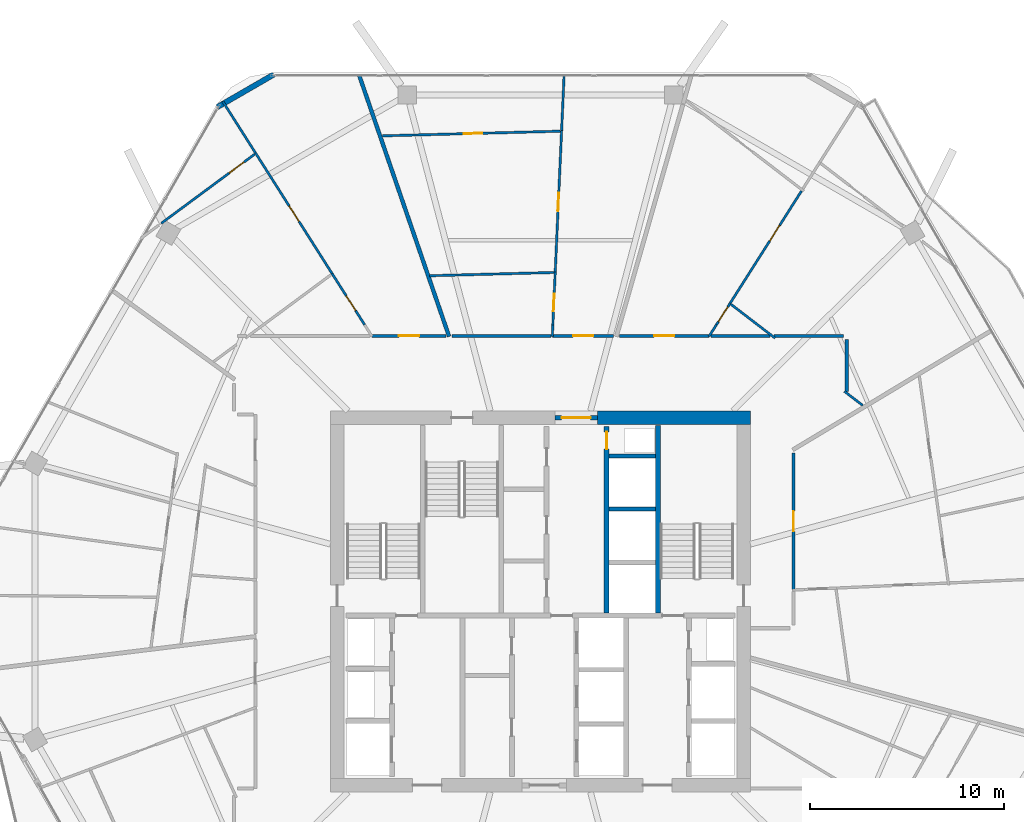
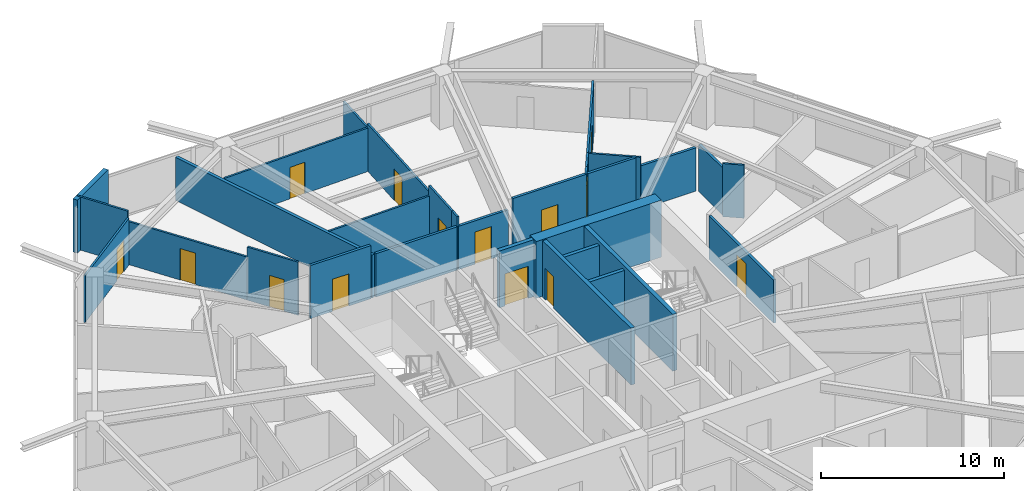
# One storey, part 22 of 26: 31 walls, 14 doors, 14 openings.
"""IFC4 building model written with IfcOpenShell, lengths in metres."""

from ifc_helpers import new_model, si_unit, direction, frame, frame_2d, origin, place, context, subcontext, project, spatial, rectangle, extrude, material, layer, layer_set, type_object, element, fill, save


model = new_model("IFC4")

# Units and contexts
model_context = context("Model", 3, precision=1e-05, world=origin(), true_north=direction((0.0, 1.0)))
body_context = subcontext(model_context, "Body", "Model", "MODEL_VIEW")
ifc_project = project(units=[si_unit("LENGTHUNIT", "METRE"), si_unit("AREAUNIT", "SQUARE_METRE"), si_unit("VOLUMEUNIT", "CUBIC_METRE"), si_unit("PLANEANGLEUNIT", "RADIAN"), si_unit("MASSUNIT", "GRAM", prefix="KILO")], contexts=[model_context])

# Site, building, storey
site_placement = place(None, origin())
site = spatial("IfcSite", under=ifc_project, at=site_placement, CompositionType="ELEMENT")
building_placement = place(site_placement, origin())
building = spatial("IfcBuilding", under=site, at=building_placement, Name="Zuhravey Tower", CompositionType="ELEMENT")
storey_placement = place(building_placement, frame((0.0, 0.0, 203.60009765625)))
storey = spatial("IfcBuildingStorey", under=building, at=storey_placement, Name="L51", CompositionType="ELEMENT", Elevation=203.60009765625)

# Wall
ifc_material_1 = material(Name="Concrete C60/75", Category="concrete")
ifc_layer_1 = layer(ifc_material_1, 0.699951171875)
ifc_layer_set_1 = layer_set([ifc_layer_1], Name="Concrete C60/75")
wall_type_1 = type_object("IfcWallType", Name="Core Shear Wall 700", PredefinedType="SHEAR", material=ifc_layer_set_1)
wall_1_placement = place(storey_placement, frame((46.85009765625, 41.5, 0.0), z_axis=(0.0, 0.0, 1.0), x_axis=(-1.0, 0.0, 0.0)))
element("IfcWall", 1, at=wall_1_placement, inside=storey, type_object=wall_type_1, Name="L51 North-East Core Shear Wall CW70", PredefinedType="SHEAR", context=body_context, shape_type="SweptSolid", body=[
    extrude(rectangle(XDim=7.900146484375, YDim=0.699951171875, at=frame_2d((3.9501953125, 0.0))), origin(), (0.0, 0.0, 1.0), 3.7998046875),
])

# Wall, opening, door
ifc_material_2 = material(Name="Gypsum fire-rated stud partition")
ifc_layer_2 = layer(ifc_material_2, 0.159912109375)
ifc_layer_set_2 = layer_set([ifc_layer_2], Name="Gypsum fire-rated stud partition")
wall_type_2 = type_object("IfcWallType", Name="Corridor Fire Partition 160", PredefinedType="PARTITIONING", material=ifc_layer_set_2)
wall_2_placement = place(storey_placement, frame((44.709716796875, 45.72998046875, 0.0), z_axis=(0.0, 0.0, 1.0), x_axis=(-1.0, 0.0, 0.0)))
wall_2 = element("IfcWall", 2, at=wall_2_placement, inside=storey, type_object=wall_type_2, Name="L51 IW16 Partition 024", PredefinedType="PARTITIONING", context=body_context, shape_type="SweptSolid", body=[
    extrude(rectangle(XDim=4.621826171875, YDim=0.159912109375, at=frame_2d((2.31103515625, 0.0))), origin(), (0.0, 0.0, 1.0), 3.5498046875),
])
opening_1_placement = place(wall_2_placement, frame((1.785888671875, 0.0, 0.0)))
opening_1 = element("IfcOpeningElement", 3, at=opening_1_placement, cuts=wall_2, Name="Opening APD1", PredefinedType="OPENING", context=body_context, shape_type="SweptSolid", body=[
    extrude(rectangle(XDim=1.050048828125, YDim=2.14990234375, at=frame_2d((0.52490234375, 1.074951171875))), frame((0.0, 0.092041015625, 0.0), z_axis=(0.0, -1.0, 0.0), x_axis=(1.0, 0.0, 0.0)), (0.0, 0.0, 1.0), 0.183837890625),
])
ifc_material_3 = material(Name="Solid-core oak fire-rated leaf")
door_type_1 = type_object("IfcDoorType", Name="Apartment Entrance Fire Door 1050x2150", OperationType="NOTDEFINED", PredefinedType="DOOR", material=ifc_material_3)
door_1_placement = place(opening_1_placement, frame((1.050048828125, 0.0, 0.0), z_axis=(0.0, 0.0, 1.0), x_axis=(-1.0, 0.0, 0.0)))
door_1 = element("IfcDoor", 4, at=door_1_placement, inside=storey, type_object=door_type_1, Name="L51 Door 024.1", OperationType="SINGLE_SWING_LEFT", OverallHeight=2.14990234375, OverallWidth=1.050048828125, PredefinedType="DOOR", context=body_context, shape_type="SweptSolid", body=[
    extrude(rectangle(XDim=1.050048828125, YDim=2.14990234375, at=frame_2d((0.52490234375, 1.074951171875))), frame((0.0, 0.02490234375, 0.0), z_axis=(0.0, -1.0, 0.0), x_axis=(1.0, 0.0, 0.0)), (0.0, 0.0, 1.0), 0.050048828125),
])
fill(opening_1, door_1)

wall_3_placement = place(storey_placement, frame((39.786865234375, 45.72998046875, 0.0), z_axis=(0.0, 0.0, 1.0), x_axis=(-1.0, 0.0, 0.0)))
wall_3 = element("IfcWall", 5, at=wall_3_placement, inside=storey, type_object=wall_type_2, Name="L51 IW16 Partition 028", PredefinedType="PARTITIONING", context=body_context, shape_type="SweptSolid", body=[
    extrude(rectangle(XDim=3.148193359375, YDim=0.159912109375, at=frame_2d((1.57421875, 0.0))), origin(), (0.0, 0.0, 1.0), 2.89990234375),
])
opening_2_placement = place(wall_3_placement, frame((1.049072265625, 0.0, 0.0)))
opening_2 = element("IfcOpeningElement", 6, at=opening_2_placement, cuts=wall_3, Name="Opening APD1", PredefinedType="OPENING", context=body_context, shape_type="SweptSolid", body=[
    extrude(rectangle(XDim=1.050048828125, YDim=2.14990234375, at=frame_2d((0.52490234375, 1.074951171875))), frame((0.0, 0.092041015625, 0.0), z_axis=(0.0, -1.0, 0.0), x_axis=(1.0, 0.0, 0.0)), (0.0, 0.0, 1.0), 0.183837890625),
])
door_2_placement = place(opening_2_placement, frame((1.050048828125, 0.0, 0.0), z_axis=(0.0, 0.0, 1.0), x_axis=(-1.0, 0.0, 0.0)))
door_2 = element("IfcDoor", 7, at=door_2_placement, inside=storey, type_object=door_type_1, Name="L51 Door 028.1", OperationType="SINGLE_SWING_LEFT", OverallHeight=2.14990234375, OverallWidth=1.050048828125, PredefinedType="DOOR", context=body_context, shape_type="SweptSolid", body=[
    extrude(rectangle(XDim=1.050048828125, YDim=2.14990234375, at=frame_2d((0.52490234375, 1.074951171875))), frame((0.0, 0.02490234375, 0.0), z_axis=(0.0, -1.0, 0.0), x_axis=(1.0, 0.0, 0.0)), (0.0, 0.0, 1.0), 0.050048828125),
])
fill(opening_2, door_2)

wall_4_placement = place(storey_placement, frame((31.11669921875, 45.72998046875, 0.0), z_axis=(0.0, 0.0, 1.0), x_axis=(-1.0, 0.0, 0.0)))
wall_4 = element("IfcWall", 8, at=wall_4_placement, inside=storey, type_object=wall_type_2, Name="L51 IW16 Partition 032", PredefinedType="PARTITIONING", context=body_context, shape_type="SweptSolid", body=[
    extrude(rectangle(XDim=3.81298828125, YDim=0.159912109375, at=frame_2d((1.906494140625, 0.0))), origin(), (0.0, 0.0, 1.0), 3.5498046875),
])
opening_3_placement = place(wall_4_placement, frame((1.381591796875, 0.0, 0.0)))
opening_3 = element("IfcOpeningElement", 9, at=opening_3_placement, cuts=wall_4, Name="Opening APD1", PredefinedType="OPENING", context=body_context, shape_type="SweptSolid", body=[
    extrude(rectangle(XDim=1.050048828125, YDim=2.14990234375, at=frame_2d((0.52490234375, 1.074951171875))), frame((0.0, 0.092041015625, 0.0), z_axis=(0.0, -1.0, 0.0), x_axis=(1.0, 0.0, 0.0)), (0.0, 0.0, 1.0), 0.183837890625),
])
door_3_placement = place(opening_3_placement, frame((1.050048828125, 0.0, 0.0), z_axis=(0.0, 0.0, 1.0), x_axis=(-1.0, 0.0, 0.0)))
door_3 = element("IfcDoor", 10, at=door_3_placement, inside=storey, type_object=door_type_1, Name="L51 Door 032.1", OperationType="SINGLE_SWING_LEFT", OverallHeight=2.14990234375, OverallWidth=1.050048828125, PredefinedType="DOOR", context=body_context, shape_type="SweptSolid", body=[
    extrude(rectangle(XDim=1.050048828125, YDim=2.14990234375, at=frame_2d((0.52490234375, 1.074951171875))), frame((0.0, 0.02490234375, 0.0), z_axis=(0.0, -1.0, 0.0), x_axis=(1.0, 0.0, 0.0)), (0.0, 0.0, 1.0), 0.050048828125),
])
fill(opening_3, door_3)

wall_5_placement = place(storey_placement, frame((49.080078125, 32.614013671875, 0.0), z_axis=(0.0, 0.0, 1.0), x_axis=(0.0, 1.0, 0.0)))
wall_5 = element("IfcWall", 11, at=wall_5_placement, inside=storey, type_object=wall_type_2, Name="L51 IW16 Partition 056", PredefinedType="PARTITIONING", context=body_context, shape_type="SweptSolid", body=[
    extrude(rectangle(XDim=7.0673828125, YDim=0.159912109375, at=frame_2d((3.53369140625, 0.0))), origin(), (0.0, 0.0, 1.0), 2.89990234375),
])
opening_4_placement = place(wall_5_placement, frame((3.0087890625, 0.0, 0.0)))
opening_4 = element("IfcOpeningElement", 12, at=opening_4_placement, cuts=wall_5, Name="Opening APD1", PredefinedType="OPENING", context=body_context, shape_type="SweptSolid", body=[
    extrude(rectangle(XDim=1.050048828125, YDim=2.14990234375, at=frame_2d((0.52490234375, 1.074951171875))), frame((0.0, 0.092041015625, 0.0), z_axis=(0.0, -1.0, 0.0), x_axis=(1.0, 0.0, 0.0)), (0.0, 0.0, 1.0), 0.183837890625),
])
door_4_placement = place(opening_4_placement, frame((1.050048828125, 0.0, 0.0), z_axis=(0.0, 0.0, 1.0), x_axis=(-1.0, 0.0, 0.0)))
door_4 = element("IfcDoor", 13, at=door_4_placement, inside=storey, type_object=door_type_1, Name="L51 Door 056.1", OperationType="SINGLE_SWING_RIGHT", OverallHeight=2.14990234375, OverallWidth=1.050048828125, PredefinedType="DOOR", context=body_context, shape_type="SweptSolid", body=[
    extrude(rectangle(XDim=1.050048828125, YDim=2.14990234375, at=frame_2d((0.52490234375, 1.074951171875))), frame((0.0, 0.02490234375, 0.0), z_axis=(0.0, -1.0, 0.0), x_axis=(1.0, 0.0, 0.0)), (0.0, 0.0, 1.0), 0.050048828125),
])
fill(opening_4, door_4)

# Walls
wall_6_placement = place(storey_placement, frame((47.85791015625, 45.72998046875, 0.0), z_axis=(0.0, 0.0, 1.0), x_axis=(-1.0, 0.0, 0.0)))
element("IfcWall", 14, at=wall_6_placement, inside=storey, type_object=wall_type_2, Name="L51 IW16 Partition 119", PredefinedType="PARTITIONING", context=body_context, shape_type="SweptSolid", body=[
    extrude(rectangle(XDim=3.043701171875, YDim=0.159912109375, at=frame_2d((1.52197265625, 0.0))), origin(), (0.0, 0.0, 1.0), 3.5498046875),
])
wall_7_placement = place(storey_placement, frame((51.64990234375, 45.72998046875, 0.0), z_axis=(0.0, 0.0, 1.0), x_axis=(-1.0, 0.0, 0.0)))
element("IfcWall", 15, at=wall_7_placement, inside=storey, type_object=wall_type_2, Name="L51 IW16 Partition 120", PredefinedType="PARTITIONING", context=body_context, shape_type="SweptSolid", body=[
    extrude(rectangle(XDim=3.568603515625, YDim=0.159912109375, at=frame_2d((1.7841796875, 0.0))), origin(), (0.0, 0.0, 1.0), 2.89990234375),
])
wall_8_placement = place(storey_placement, frame((51.830078125, 42.853515625, 0.0), z_axis=(0.0, 0.0, 1.0), x_axis=(0.0, 1.0, 0.0)))
element("IfcWall", 16, at=wall_8_placement, inside=storey, type_object=wall_type_2, Name="L51 IW16 Partition 121", PredefinedType="PARTITIONING", context=body_context, shape_type="SweptSolid", body=[
    extrude(rectangle(XDim=2.696533203125, YDim=0.159912109375, at=frame_2d((1.34814453125, 0.0))), origin(), (0.0, 0.0, 1.0), 3.14990234375),
])
wall_9_placement = place(storey_placement, frame((36.550537109375, 45.72998046875, 0.0), z_axis=(0.0, 0.0, 1.0), x_axis=(-1.0, 0.0, 0.0)))
element("IfcWall", 17, at=wall_9_placement, inside=storey, type_object=wall_type_2, Name="L51 IW16 Partition 122", PredefinedType="PARTITIONING", context=body_context, shape_type="SweptSolid", body=[
    extrude(rectangle(XDim=5.12353515625, YDim=0.159912109375, at=frame_2d((2.561767578125, 0.0))), origin(), (0.0, 0.0, 1.0), 2.89990234375),
])
ifc_material_4 = material(Name="Precast concrete C40/50", Category="concrete")
ifc_layer_3 = layer(ifc_material_4, 0.280029296875)
ifc_layer_set_3 = layer_set([ifc_layer_3], Name="Precast concrete C40/50")
wall_type_3 = type_object("IfcWallType", Name="Crown Architectural Wall 280", PredefinedType="SOLIDWALL", material=ifc_layer_set_3)
wall_10_placement = place(storey_placement, frame((19.306884765625, 57.548095703125, 0.0), z_axis=(0.0, 0.0, 1.0), x_axis=(0.866020068361, 0.500009241111, 0.0)))
element("IfcWall", 18, at=wall_10_placement, inside=storey, type_object=wall_type_3, Name="L51 Rounded Corner Closure Wall EW28-08", PredefinedType="SOLIDWALL", context=body_context, shape_type="SweptSolid", body=[
    extrude(rectangle(XDim=3.365234375, YDim=0.280029296875, at=frame_2d((1.6826171875, 0.0))), origin(), (0.0, 0.0, 1.0), 3.5498046875),
])

# Wall, opening, door
ifc_material_5 = material(Name="Concrete C50/60", Category="concrete")
ifc_layer_4 = layer(ifc_material_5, 0.25)
ifc_layer_set_4 = layer_set([ifc_layer_4], Name="Concrete C50/60")
wall_type_4 = type_object("IfcWallType", Name="Firefighting Shaft & Stair Wall 250", PredefinedType="SOLIDWALL", material=ifc_layer_set_4)
wall_11_placement = place(storey_placement, frame((36.760009765625, 41.5, 0.0), z_axis=(0.0, 0.0, 1.0), x_axis=(1.0, 0.0, 0.0)))
wall_11 = element("IfcWall", 19, at=wall_11_placement, inside=storey, type_object=wall_type_4, Name="L51 FW25 Shaft Wall 002", PredefinedType="SOLIDWALL", context=body_context, shape_type="SweptSolid", body=[
    extrude(rectangle(XDim=2.179931640625, YDim=0.25, at=frame_2d((1.08984375, 0.0))), origin(), (0.0, 0.0, 1.0), 3.7998046875),
])
opening_5_placement = place(wall_11_placement, frame((0.340087890625, 0.0, 0.0)))
opening_5 = element("IfcOpeningElement", 20, at=opening_5_placement, cuts=wall_11, Name="Opening FFD1", PredefinedType="OPENING", context=body_context, shape_type="SweptSolid", body=[
    extrude(rectangle(XDim=1.5, YDim=2.14990234375, at=frame_2d((0.75, 1.074951171875))), frame((0.0, 0.136962890625, 0.0), z_axis=(0.0, -1.0, 0.0), x_axis=(1.0, 0.0, 0.0)), (0.0, 0.0, 1.0), 0.27392578125),
])
ifc_material_6 = material(Name="Galvanised fire-rated steel leaf", Category="steel")
door_type_2 = type_object("IfcDoorType", Name="Firefighting Lobby Double Door 1500x2150", OperationType="DOUBLE_DOOR_SINGLE_SWING", PredefinedType="DOOR", material=ifc_material_6)
door_5_placement = place(opening_5_placement, origin())
door_5 = element("IfcDoor", 21, at=door_5_placement, inside=storey, type_object=door_type_2, Name="L51 North Lift Lobby Exit Door", OperationType="DOUBLE_DOOR_SINGLE_SWING", OverallHeight=2.14990234375, OverallWidth=1.5, PredefinedType="DOOR", context=body_context, shape_type="SweptSolid", body=[
    extrude(rectangle(XDim=1.5, YDim=2.14990234375, at=frame_2d((0.75, 1.074951171875))), frame((0.0, 0.02490234375, 0.0), z_axis=(0.0, -1.0, 0.0), x_axis=(1.0, 0.0, 0.0)), (0.0, 0.0, 1.0), 0.050048828125),
])
fill(opening_5, door_5)

# Wall
wall_12_placement = place(storey_placement, frame((42.074951171875, 31.39990234375, 0.0), z_axis=(0.0, 0.0, 1.0), x_axis=(0.0, 1.0, 0.0)))
element("IfcWall", 22, at=wall_12_placement, inside=storey, type_object=wall_type_4, Name="L51 FW25 Shaft Wall 006", PredefinedType="SOLIDWALL", context=body_context, shape_type="SweptSolid", body=[
    extrude(rectangle(XDim=9.7001953125, YDim=0.25, at=frame_2d((4.85009765625, 0.0))), origin(), (0.0, 0.0, 1.0), 3.7998046875),
])

# Wall, opening, door
wall_13_placement = place(storey_placement, frame((39.425048828125, 31.39990234375, 0.0), z_axis=(0.0, 0.0, 1.0), x_axis=(0.0, 1.0, 0.0)))
wall_13 = element("IfcWall", 23, at=wall_13_placement, inside=storey, type_object=wall_type_4, Name="L51 FW25 Shaft Wall 008", PredefinedType="SOLIDWALL", context=body_context, shape_type="SweptSolid", body=[
    extrude(rectangle(XDim=9.650146484375, YDim=0.25, at=frame_2d((4.8251953125, 0.0))), origin(), (0.0, 0.0, 1.0), 3.7998046875),
])
opening_6_placement = place(wall_13_placement, frame((8.469970703125, 0.0, 0.0)))
opening_6 = element("IfcOpeningElement", 24, at=opening_6_placement, cuts=wall_13, Name="Opening RSD1", PredefinedType="OPENING", context=body_context, shape_type="SweptSolid", body=[
    extrude(rectangle(XDim=0.89990234375, YDim=2.10009765625, at=frame_2d((0.449951171875, 1.050048828125))), frame((0.0, 0.136962890625, 0.0), z_axis=(0.0, -1.0, 0.0), x_axis=(1.0, 0.0, 0.0)), (0.0, 0.0, 1.0), 0.27392578125),
])
ifc_material_7 = material(Name="Galvanised fire-rated steel access leaf", Category="steel")
door_type_3 = type_object("IfcDoorType", Name="Riser & Shaft Access Fire Door 900x2100", OperationType="NOTDEFINED", PredefinedType="DOOR", material=ifc_material_7)
door_6_placement = place(opening_6_placement, origin())
door_6 = element("IfcDoor", 25, at=door_6_placement, inside=storey, type_object=door_type_3, Name="L51 North Riser Door", OperationType="SINGLE_SWING_LEFT", OverallHeight=2.10009765625, OverallWidth=0.89990234375, PredefinedType="DOOR", context=body_context, shape_type="SweptSolid", body=[
    extrude(rectangle(XDim=0.89990234375, YDim=2.10009765625, at=frame_2d((0.449951171875, 1.050048828125))), frame((0.0, 0.02490234375, 0.0), z_axis=(0.0, -1.0, 0.0), x_axis=(1.0, 0.0, 0.0)), (0.0, 0.0, 1.0), 0.050048828125),
])
fill(opening_6, door_6)

# Walls
ifc_material_8 = material(Name="Gypsum double-stud party assembly")
ifc_layer_5 = layer(ifc_material_8, 0.199951171875)
ifc_layer_set_5 = layer_set([ifc_layer_5], Name="Gypsum double-stud party assembly")
wall_type_5 = type_object("IfcWallType", Name="Inter-Tenancy Party Wall 200", PredefinedType="PARTITIONING", material=ifc_layer_set_5)
wall_14_placement = place(storey_placement, frame((31.2861328125, 45.68994140625, 0.0), z_axis=(0.0, 0.0, 1.0), x_axis=(-0.325563588547, 0.945520147756, 0.0)))
element("IfcWall", 26, at=wall_14_placement, inside=storey, type_object=wall_type_5, Name="L51 IW20 Partition 076", PredefinedType="PARTITIONING", context=body_context, shape_type="SweptSolid", body=[
    extrude(rectangle(XDim=14.2705078125, YDim=0.199951171875, at=frame_2d((7.13525390625, 0.0))), origin(), (0.0, 0.0, 1.0), 2.869873046875),
])
ifc_material_9 = material(Name="Gypsum acoustic stud assembly")
ifc_layer_6 = layer(ifc_material_9, 0.219970703125)
ifc_layer_set_6 = layer_set([ifc_layer_6], Name="Gypsum acoustic stud assembly")
wall_type_6 = type_object("IfcWallType", Name="School Acoustic Compartment Wall 220", PredefinedType="PARTITIONING", material=ifc_layer_set_6)
for number, where, z_axis, x_axis, name in (
    (27, (39.55810546875, 36.77490234375, 0.0), (0.0, 0.0, 1.0), (1.0, 0.0, 0.0), "L51 IW22 Partition 060"),
    (28, (39.55810546875, 39.52490234375, 0.0), (0.0, 0.0, 1.0), (1.0, 0.0, 0.0), "L51 IW22 Partition 061"),
):
    element("IfcWall", number, at=place(storey_placement, frame(where, z_axis=z_axis, x_axis=x_axis)), inside=storey, type_object=wall_type_6, Name=name, PredefinedType="PARTITIONING", context=body_context, shape_type="SweptSolid", body=[
        extrude(rectangle(XDim=2.3837890625, YDim=0.219970703125, at=frame_2d((1.19189453125, 0.0))), origin(), (0.0, 0.0, 1.0), 3.5498046875),
    ])

# Wall, opening, door
ifc_material_10 = material(Name="Gypsum metal-stud partition")
ifc_layer_7 = layer(ifc_material_10, 0.1201171875)
ifc_layer_set_7 = layer_set([ifc_layer_7], Name="Gypsum metal-stud partition")
wall_type_7 = type_object("IfcWallType", Name="Unit Internal Partition 120", PredefinedType="PARTITIONING", material=ifc_layer_set_7)
wall_15_placement = place(storey_placement, frame((45.09619140625, 46.300048828125, 0.0), z_axis=(0.0, 0.0, 1.0), x_axis=(0.53661359275, 0.843828093913, 0.0)))
wall_15 = element("IfcWall", 29, at=wall_15_placement, inside=storey, type_object=wall_type_7, Name="L51 IW12 Partition 020", PredefinedType="PARTITIONING", context=body_context, shape_type="SweptSolid", body=[
    extrude(rectangle(XDim=1.3271484375, YDim=0.1201171875, at=frame_2d((0.66357421875, 0.0))), origin(), (0.0, 0.0, 1.0), 3.5498046875),
])
opening_7_placement = place(wall_15_placement, frame((0.199951171875, 0.0, 0.0)))
opening_7 = element("IfcOpeningElement", 30, at=opening_7_placement, cuts=wall_15, Name="Opening WCD1", PredefinedType="OPENING", context=body_context, shape_type="SweptSolid", body=[
    extrude(rectangle(XDim=0.89990234375, YDim=2.10009765625, at=frame_2d((0.449951171875, 1.050048828125))), frame((0.0, 0.072021484375, 0.0), z_axis=(0.0, -1.0, 0.0), x_axis=(1.0, 0.0, 0.0)), (0.0, 0.0, 1.0), 0.14404296875),
])
ifc_material_11 = material(Name="Moisture-resistant timber leaf", Category="wood")
door_type_4 = type_object("IfcDoorType", Name="Bathroom & WC Internal Door 900x2100", OperationType="NOTDEFINED", PredefinedType="DOOR", material=ifc_material_11)
door_7_placement = place(opening_7_placement, frame((0.89990234375, 0.0, 0.0), z_axis=(0.0, 0.0, 1.0), x_axis=(-1.0, 0.0, 0.0)))
door_7 = element("IfcDoor", 31, at=door_7_placement, inside=storey, type_object=door_type_4, Name="Apartment L51-01 Bathroom Door", OperationType="SINGLE_SWING_RIGHT", OverallHeight=2.10009765625, OverallWidth=0.89990234375, PredefinedType="DOOR", context=body_context, shape_type="SweptSolid", body=[
    extrude(rectangle(XDim=0.89990234375, YDim=2.10009765625, at=frame_2d((0.449951171875, 1.050048828125))), frame((0.0, 0.02490234375, 0.0), z_axis=(0.0, -1.0, 0.0), x_axis=(1.0, 0.0, 0.0)), (0.0, 0.0, 1.0), 0.050048828125),
])
fill(opening_7, door_7)

wall_16_placement = place(storey_placement, frame((45.808349609375, 47.419921875, 0.0), z_axis=(0.0, 0.0, 1.0), x_axis=(0.536718974009, 0.843761069817, 0.0)))
wall_16 = element("IfcWall", 32, at=wall_16_placement, inside=storey, type_object=wall_type_7, Name="L51 IW12 Partition 021", PredefinedType="PARTITIONING", context=body_context, shape_type="SweptSolid", body=[
    extrude(rectangle(XDim=6.863525390625, YDim=0.1201171875, at=frame_2d((3.431640625, 0.0))), origin(), (0.0, 0.0, 1.0), 3.5498046875),
])
opening_8_placement = place(wall_16_placement, frame((3.816650390625, 0.0, 0.0)))
opening_8 = element("IfcOpeningElement", 33, at=opening_8_placement, cuts=wall_16, Name="Opening IND1", PredefinedType="OPENING", context=body_context, shape_type="SweptSolid", body=[
    extrude(rectangle(XDim=0.949951171875, YDim=2.10009765625, at=frame_2d((0.47509765625, 1.050048828125))), frame((0.0, 0.072021484375, 0.0), z_axis=(0.0, -1.0, 0.0), x_axis=(1.0, 0.0, 0.0)), (0.0, 0.0, 1.0), 0.14404296875),
])
ifc_material_12 = material(Name="Painted engineered timber leaf", Category="wood")
door_type_5 = type_object("IfcDoorType", Name="Internal Room & Bedroom Door 950x2100", OperationType="NOTDEFINED", PredefinedType="DOOR", material=ifc_material_12)
door_8_placement = place(opening_8_placement, frame((0.949951171875, 0.0, 0.0), z_axis=(0.0, 0.0, 1.0), x_axis=(-1.0, 0.0, 0.0)))
door_8 = element("IfcDoor", 34, at=door_8_placement, inside=storey, type_object=door_type_5, Name="Apartment L51-01 Home Office Door", OperationType="SINGLE_SWING_LEFT", OverallHeight=2.10009765625, OverallWidth=0.949951171875, PredefinedType="DOOR", context=body_context, shape_type="SweptSolid", body=[
    extrude(rectangle(XDim=0.949951171875, YDim=2.10009765625, at=frame_2d((0.47509765625, 1.050048828125))), frame((0.0, 0.02490234375, 0.0), z_axis=(0.0, -1.0, 0.0), x_axis=(1.0, 0.0, 0.0)), (0.0, 0.0, 1.0), 0.050048828125),
])
fill(opening_8, door_8)

wall_17_placement = place(storey_placement, frame((36.644287109375, 46.300048828125, 0.0), z_axis=(0.0, 0.0, 1.0), x_axis=(0.045050848812, 0.998984695089, 0.0)))
wall_17 = element("IfcWall", 35, at=wall_17_placement, inside=storey, type_object=wall_type_7, Name="L51 IW12 Partition 025", PredefinedType="PARTITIONING", context=body_context, shape_type="SweptSolid", body=[
    extrude(rectangle(XDim=2.731201171875, YDim=0.1201171875, at=frame_2d((1.36572265625, 0.0))), origin(), (0.0, 0.0, 1.0), 3.5498046875),
])
opening_9_placement = place(wall_17_placement, frame((0.697265625, 0.0, 0.0)))
opening_9 = element("IfcOpeningElement", 36, at=opening_9_placement, cuts=wall_17, Name="Opening WCD1", PredefinedType="OPENING", context=body_context, shape_type="SweptSolid", body=[
    extrude(rectangle(XDim=0.89990234375, YDim=2.10009765625, at=frame_2d((0.449951171875, 1.050048828125))), frame((0.0, 0.072021484375, 0.0), z_axis=(0.0, -1.0, 0.0), x_axis=(1.0, 0.0, 0.0)), (0.0, 0.0, 1.0), 0.14404296875),
])
door_9_placement = place(opening_9_placement, origin())
door_9 = element("IfcDoor", 37, at=door_9_placement, inside=storey, type_object=door_type_4, Name="Apartment L51-02 Bathroom Door", OperationType="SINGLE_SWING_RIGHT", OverallHeight=2.10009765625, OverallWidth=0.89990234375, PredefinedType="DOOR", context=body_context, shape_type="SweptSolid", body=[
    extrude(rectangle(XDim=0.89990234375, YDim=2.10009765625, at=frame_2d((0.449951171875, 1.050048828125))), frame((0.0, 0.02490234375, 0.0), z_axis=(0.0, -1.0, 0.0), x_axis=(1.0, 0.0, 0.0)), (0.0, 0.0, 1.0), 0.050048828125),
])
fill(opening_9, door_9)

wall_18_placement = place(storey_placement, frame((36.767333984375, 49.028564453125, 0.0), z_axis=(0.0, 0.0, 1.0), x_axis=(0.044997012293, 0.998987121481, 0.0)))
wall_18 = element("IfcWall", 38, at=wall_18_placement, inside=storey, type_object=wall_type_7, Name="L51 IW12 Partition 026", PredefinedType="PARTITIONING", context=body_context, shape_type="SweptSolid", body=[
    extrude(rectangle(XDim=7.308349609375, YDim=0.1201171875, at=frame_2d((3.654296875, 0.0))), origin(), (0.0, 0.0, 1.0), 3.14990234375),
])
opening_10_placement = place(wall_18_placement, frame((3.154296875, 0.0, 0.0)))
opening_10 = element("IfcOpeningElement", 39, at=opening_10_placement, cuts=wall_18, Name="Opening IND1", PredefinedType="OPENING", context=body_context, shape_type="SweptSolid", body=[
    extrude(rectangle(XDim=0.949951171875, YDim=2.10009765625, at=frame_2d((0.47509765625, 1.050048828125))), frame((0.0, 0.072021484375, 0.0), z_axis=(0.0, -1.0, 0.0), x_axis=(1.0, 0.0, 0.0)), (0.0, 0.0, 1.0), 0.14404296875),
])
door_10_placement = place(opening_10_placement, origin())
door_10 = element("IfcDoor", 40, at=door_10_placement, inside=storey, type_object=door_type_5, Name="Apartment L51-02 Home Office Door", OperationType="SINGLE_SWING_LEFT", OverallHeight=2.10009765625, OverallWidth=0.949951171875, PredefinedType="DOOR", context=body_context, shape_type="SweptSolid", body=[
    extrude(rectangle(XDim=0.949951171875, YDim=2.10009765625, at=frame_2d((0.47509765625, 1.050048828125))), frame((0.0, 0.02490234375, 0.0), z_axis=(0.0, -1.0, 0.0), x_axis=(1.0, 0.0, 0.0)), (0.0, 0.0, 1.0), 0.050048828125),
])
fill(opening_10, door_10)

wall_19_placement = place(storey_placement, frame((37.027099609375, 56.302734375, 0.0), z_axis=(0.0, 0.0, 1.0), x_axis=(-0.999657331669, -0.026176692676, 0.0)))
wall_19 = element("IfcWall", 41, at=wall_19_placement, inside=storey, type_object=wall_type_7, Name="L51 IW12 Partition 027", PredefinedType="PARTITIONING", context=body_context, shape_type="SweptSolid", body=[
    extrude(rectangle(XDim=9.186767578125, YDim=0.1201171875, at=frame_2d((4.59326171875, 0.0))), origin(), (0.0, 0.0, 1.0), 2.89990234375),
])
opening_11_placement = place(wall_19_placement, frame((4.0341796875, 0.0, 0.0)))
opening_11 = element("IfcOpeningElement", 42, at=opening_11_placement, cuts=wall_19, Name="Opening IND1", PredefinedType="OPENING", context=body_context, shape_type="SweptSolid", body=[
    extrude(rectangle(XDim=0.949951171875, YDim=2.10009765625, at=frame_2d((0.47509765625, 1.050048828125))), frame((0.0, 0.072021484375, 0.0), z_axis=(0.0, -1.0, 0.0), x_axis=(1.0, 0.0, 0.0)), (0.0, 0.0, 1.0), 0.14404296875),
])
door_11_placement = place(opening_11_placement, frame((0.949951171875, 0.0, 0.0), z_axis=(0.0, 0.0, 1.0), x_axis=(-1.0, 0.0, 0.0)))
door_11 = element("IfcDoor", 43, at=door_11_placement, inside=storey, type_object=door_type_5, Name="Apartment L51-02 Bedroom 1 Door", OperationType="SINGLE_SWING_RIGHT", OverallHeight=2.10009765625, OverallWidth=0.949951171875, PredefinedType="DOOR", context=body_context, shape_type="SweptSolid", body=[
    extrude(rectangle(XDim=0.949951171875, YDim=2.10009765625, at=frame_2d((0.47509765625, 1.050048828125))), frame((0.0, 0.02490234375, 0.0), z_axis=(0.0, -1.0, 0.0), x_axis=(1.0, 0.0, 0.0)), (0.0, 0.0, 1.0), 0.050048828125),
])
fill(opening_11, door_11)

wall_20_placement = place(storey_placement, frame((26.91796875, 46.300048828125, 0.0), z_axis=(0.0, 0.0, 1.0), x_axis=(-0.53615662064, 0.844118521384, 0.0)))
wall_20 = element("IfcWall", 44, at=wall_20_placement, inside=storey, type_object=wall_type_7, Name="L51 IW12 Partition 029", PredefinedType="PARTITIONING", context=body_context, shape_type="SweptSolid", body=[
    extrude(rectangle(XDim=3.143310546875, YDim=0.1201171875, at=frame_2d((1.57177734375, 0.0))), origin(), (0.0, 0.0, 1.0), 3.5498046875),
])
opening_12_placement = place(wall_20_placement, frame((0.8701171875, 0.0, 0.0)))
opening_12 = element("IfcOpeningElement", 45, at=opening_12_placement, cuts=wall_20, Name="Opening WCD1", PredefinedType="OPENING", context=body_context, shape_type="SweptSolid", body=[
    extrude(rectangle(XDim=0.89990234375, YDim=2.10009765625, at=frame_2d((0.449951171875, 1.050048828125))), frame((0.0, 0.072021484375, 0.0), z_axis=(0.0, -1.0, 0.0), x_axis=(1.0, 0.0, 0.0)), (0.0, 0.0, 1.0), 0.14404296875),
])
door_12_placement = place(opening_12_placement, origin())
door_12 = element("IfcDoor", 46, at=door_12_placement, inside=storey, type_object=door_type_4, Name="Apartment L51-03 Bathroom Door", OperationType="SINGLE_SWING_RIGHT", OverallHeight=2.10009765625, OverallWidth=0.89990234375, PredefinedType="DOOR", context=body_context, shape_type="SweptSolid", body=[
    extrude(rectangle(XDim=0.89990234375, YDim=2.10009765625, at=frame_2d((0.449951171875, 1.050048828125))), frame((0.0, 0.02490234375, 0.0), z_axis=(0.0, -1.0, 0.0), x_axis=(1.0, 0.0, 0.0)), (0.0, 0.0, 1.0), 0.050048828125),
])
fill(opening_12, door_12)

wall_21_placement = place(storey_placement, frame((25.23291015625, 48.953369140625, 0.0), z_axis=(0.0, 0.0, 1.0), x_axis=(-0.536123144508, 0.844139783403, 0.0)))
wall_21 = element("IfcWall", 47, at=wall_21_placement, inside=storey, type_object=wall_type_7, Name="L51 IW12 Partition 030", PredefinedType="PARTITIONING", context=body_context, shape_type="SweptSolid", body=[
    extrude(rectangle(XDim=7.3720703125, YDim=0.1201171875, at=frame_2d((3.68603515625, 0.0))), origin(), (0.0, 0.0, 1.0), 2.869873046875),
])
opening_13_placement = place(wall_21_placement, frame((3.18603515625, 0.0, 0.0)))
opening_13 = element("IfcOpeningElement", 48, at=opening_13_placement, cuts=wall_21, Name="Opening IND1", PredefinedType="OPENING", context=body_context, shape_type="SweptSolid", body=[
    extrude(rectangle(XDim=0.949951171875, YDim=2.10009765625, at=frame_2d((0.47509765625, 1.050048828125))), frame((0.0, 0.072021484375, 0.0), z_axis=(0.0, -1.0, 0.0), x_axis=(1.0, 0.0, 0.0)), (0.0, 0.0, 1.0), 0.14404296875),
])
door_13_placement = place(opening_13_placement, origin())
door_13 = element("IfcDoor", 49, at=door_13_placement, inside=storey, type_object=door_type_5, Name="Apartment L51-03 Home Office Door", OperationType="SINGLE_SWING_LEFT", OverallHeight=2.10009765625, OverallWidth=0.949951171875, PredefinedType="DOOR", context=body_context, shape_type="SweptSolid", body=[
    extrude(rectangle(XDim=0.949951171875, YDim=2.10009765625, at=frame_2d((0.47509765625, 1.050048828125))), frame((0.0, 0.02490234375, 0.0), z_axis=(0.0, -1.0, 0.0), x_axis=(1.0, 0.0, 0.0)), (0.0, 0.0, 1.0), 0.050048828125),
])
fill(opening_13, door_13)

wall_22_placement = place(storey_placement, frame((21.239013671875, 55.11474609375, 0.0), z_axis=(0.0, 0.0, 1.0), x_axis=(-0.803850838381, -0.594830925251, 0.0)))
wall_22 = element("IfcWall", 50, at=wall_22_placement, inside=storey, type_object=wall_type_7, Name="L51 IW12 Partition 031", PredefinedType="PARTITIONING", context=body_context, shape_type="SweptSolid", body=[
    extrude(rectangle(XDim=6.007080078125, YDim=0.1201171875, at=frame_2d((3.00341796875, 0.0))), origin(), (0.0, 0.0, 1.0), 3.121826171875),
])
opening_14_placement = place(wall_22_placement, frame((0.684326171875, 0.0, 0.0)))
opening_14 = element("IfcOpeningElement", 51, at=opening_14_placement, cuts=wall_22, Name="Opening IND1", PredefinedType="OPENING", context=body_context, shape_type="SweptSolid", body=[
    extrude(rectangle(XDim=0.949951171875, YDim=2.10009765625, at=frame_2d((0.47509765625, 1.050048828125))), frame((0.0, 0.072021484375, 0.0), z_axis=(0.0, -1.0, 0.0), x_axis=(1.0, 0.0, 0.0)), (0.0, 0.0, 1.0), 0.14404296875),
])
door_14_placement = place(opening_14_placement, frame((0.949951171875, 0.0, 0.0), z_axis=(0.0, 0.0, 1.0), x_axis=(-1.0, 0.0, 0.0)))
door_14 = element("IfcDoor", 52, at=door_14_placement, inside=storey, type_object=door_type_5, Name="Apartment L51-03 Bedroom 1 Door", OperationType="SINGLE_SWING_RIGHT", OverallHeight=2.10009765625, OverallWidth=0.949951171875, PredefinedType="DOOR", context=body_context, shape_type="SweptSolid", body=[
    extrude(rectangle(XDim=0.949951171875, YDim=2.10009765625, at=frame_2d((0.47509765625, 1.050048828125))), frame((0.0, 0.02490234375, 0.0), z_axis=(0.0, -1.0, 0.0), x_axis=(1.0, 0.0, 0.0)), (0.0, 0.0, 1.0), 0.050048828125),
])
fill(opening_14, door_14)

# Walls
wall_23_placement = place(storey_placement, frame((44.709716796875, 45.692626953125, 0.0), z_axis=(0.0, 0.0, 1.0), x_axis=(0.536809663503, 0.843703375108, 0.0)))
element("IfcWall", 53, at=wall_23_placement, inside=storey, type_object=wall_type_7, Name="L51 IW12 Partition 066", PredefinedType="PARTITIONING", context=body_context, shape_type="SweptSolid", body=[
    extrude(rectangle(XDim=0.719970703125, YDim=0.1201171875, at=frame_2d((0.35986328125, 0.0))), origin(), (0.0, 0.0, 1.0), 3.5498046875),
])
wall_24_placement = place(storey_placement, frame((52.656005859375, 42.134033203125, 0.0), z_axis=(0.0, 0.0, 1.0), x_axis=(-0.793293229655, 0.608839758708, 0.0)))
element("IfcWall", 54, at=wall_24_placement, inside=storey, type_object=wall_type_7, Name="L51 IW12 Partition 068", PredefinedType="PARTITIONING", context=body_context, shape_type="SweptSolid", body=[
    extrude(rectangle(XDim=1.192626953125, YDim=0.1201171875, at=frame_2d((0.59619140625, 0.0))), origin(), (0.0, 0.0, 1.0), 3.5498046875),
])
wall_25_placement = place(storey_placement, frame((48.126220703125, 45.610107421875, 0.0), z_axis=(0.0, 0.0, 1.0), x_axis=(-0.793388621377, 0.608715447043, 0.0)))
element("IfcWall", 55, at=wall_25_placement, inside=storey, type_object=wall_type_7, Name="L51 IW12 Partition 069", PredefinedType="PARTITIONING", context=body_context, shape_type="SweptSolid", body=[
    extrude(rectangle(XDim=2.8701171875, YDim=0.1201171875, at=frame_2d((1.43505859375, 0.0))), origin(), (0.0, 0.0, 1.0), 3.5498046875),
])
wall_26_placement = place(storey_placement, frame((36.61669921875, 45.68505859375, 0.0), z_axis=(0.0, 0.0, 1.0), x_axis=(0.0448140033, 0.998995347891, 0.0)))
element("IfcWall", 56, at=wall_26_placement, inside=storey, type_object=wall_type_7, Name="L51 IW12 Partition 073", PredefinedType="PARTITIONING", context=body_context, shape_type="SweptSolid", body=[
    extrude(rectangle(XDim=0.61572265625, YDim=0.1201171875, at=frame_2d((0.307861328125, 0.0))), origin(), (0.0, 0.0, 1.0), 3.5498046875),
])
wall_27_placement = place(storey_placement, frame((37.09619140625, 56.32958984375, 0.0), z_axis=(0.0, 0.0, 1.0), x_axis=(0.045051580252, 0.998984662103, 0.0)))
element("IfcWall", 57, at=wall_27_placement, inside=storey, type_object=wall_type_7, Name="L51 IW12 Partition 074", PredefinedType="PARTITIONING", context=body_context, shape_type="SweptSolid", body=[
    extrude(rectangle(XDim=2.861328125, YDim=0.1201171875, at=frame_2d((1.4306640625, 0.0))), origin(), (0.0, 0.0, 1.0), 2.869873046875),
])
wall_28_placement = place(storey_placement, frame((36.697998046875, 49.001953125, 0.0), z_axis=(0.0, 0.0, 1.0), x_axis=(-0.999656617152, -0.026203965041, 0.0)))
element("IfcWall", 58, at=wall_28_placement, inside=storey, type_object=wall_type_7, Name="L51 IW12 Partition 075", PredefinedType="PARTITIONING", context=body_context, shape_type="SweptSolid", body=[
    extrude(rectangle(XDim=6.43798828125, YDim=0.1201171875, at=frame_2d((3.218994140625, 0.0))), origin(), (0.0, 0.0, 1.0), 2.89990234375),
])
wall_29_placement = place(storey_placement, frame((21.280517578125, 55.176513671875, 0.0), z_axis=(0.0, 0.0, 1.0), x_axis=(-0.536125270128, 0.844138433392, 0.0)))
element("IfcWall", 59, at=wall_29_placement, inside=storey, type_object=wall_type_7, Name="L51 IW12 Partition 078", PredefinedType="PARTITIONING", context=body_context, shape_type="SweptSolid", body=[
    extrude(rectangle(XDim=3.159423828125, YDim=0.1201171875, at=frame_2d((1.57958984375, 0.0))), origin(), (0.0, 0.0, 1.0), 3.5498046875),
])

save(model, "model.ifc")
